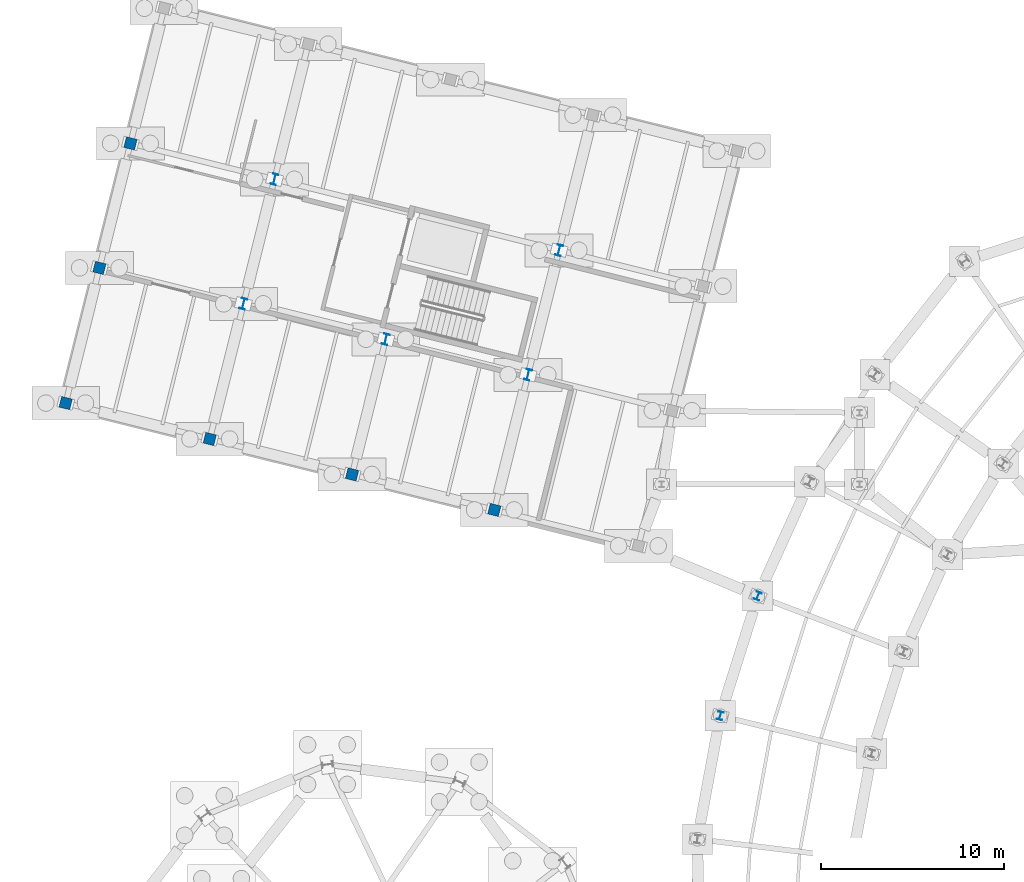
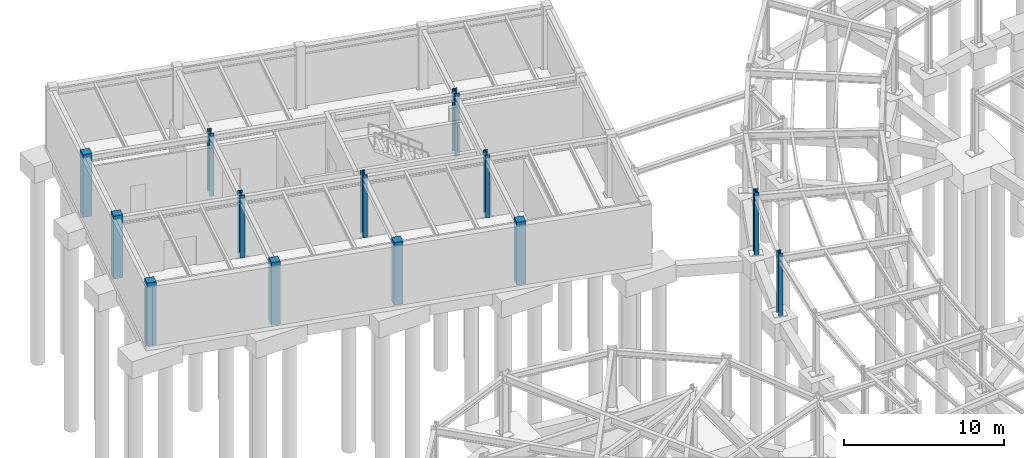
# One storey, part 18 of 50: 13 columns.
"""IFC4 building model written with IfcOpenShell, lengths in metres."""

from ifc_helpers import new_model, si_unit, direction, frame, origin, origin_2d, place, context, subcontext, project, spatial, rectangle, i_section, extrude, material, material_profile, profile_set, type_object, element, save


model = new_model("IFC4")

# Units and contexts
model_context = context("Model", 3, precision=1e-05, world=origin(), true_north=direction((0.0, 1.0)))
body_context = subcontext(model_context, "Body", "Model", "MODEL_VIEW")
ifc_project = project(units=[si_unit("LENGTHUNIT", "METRE"), si_unit("AREAUNIT", "SQUARE_METRE"), si_unit("VOLUMEUNIT", "CUBIC_METRE"), si_unit("PLANEANGLEUNIT", "RADIAN"), si_unit("MASSUNIT", "GRAM", prefix="KILO")], contexts=[model_context])

# Site, building, storey
site_placement = place(None, origin())
site = spatial("IfcSite", under=ifc_project, at=site_placement, CompositionType="ELEMENT")
building_placement = place(site_placement, origin())
building = spatial("IfcBuilding", under=site, at=building_placement, Name="Varnklinge Art Gallery", CompositionType="ELEMENT")
storey_placement = place(building_placement, frame((0.0, 0.0, -4.800048828125)))
storey = spatial("IfcBuildingStorey", under=building, at=storey_placement, Name="B01", CompositionType="ELEMENT", Elevation=-4.800048828125)

# Columns
ifc_material_1 = material(Name="Steel S355", Category="steel")
ifc_material_profile_1 = material_profile(ifc_material_1, i_section(OverallWidth=0.300048828125, OverallDepth=0.60009765625, WebThickness=0.015380859375, FlangeThickness=0.030029296875, FilletRadius=0.027099609375, at=origin_2d()), Name="HEB 600")
ifc_profile_set_1 = profile_set([ifc_material_profile_1], Name="Steel S355")
column_type_1 = type_object("IfcColumnType", Name="COL-04", PredefinedType="COLUMN", material=ifc_profile_set_1)
for number, where, z_axis, x_axis, name in (
    (1, (15.390869140625, 91.039306640625, 0.0), (0.0, 0.0, 1.0), (0.970295726276, -0.2419218956, 0.0), "B01 Column V5C-2-2"),
    (2, (17.08447265625, 97.831298828125, 0.0), (0.0, 0.0, 1.0), (0.970295726276, -0.2419218956, 0.0), "B01 Column V5C-2-3"),
    (3, (23.1533203125, 89.10400390625, 0.0), (0.0, 0.0, 1.0), (0.970295726276, -0.2419218956, 0.0), "B01 Column V5C-3-2"),
    (4, (30.91552734375, 87.168701171875, 0.0), (0.0, 0.0, 1.0), (0.970295726276, -0.2419218956, 0.0), "B01 Column V5C-4-2"),
    (5, (32.609130859375, 93.960693359375, 0.0), (0.0, 0.0, 1.0), (0.970295726276, -0.2419218956, 0.0), "B01 Column V5C-4-3"),
):
    element("IfcColumn", number, at=place(storey_placement, frame(where, z_axis=z_axis, x_axis=x_axis)), inside=storey, type_object=column_type_1, Name=name, PredefinedType="COLUMN", context=body_context, shape_type="SweptSolid", body=[
        extrude(i_section(OverallWidth=0.300048828125, OverallDepth=0.60009765625, WebThickness=0.015380859375, FlangeThickness=0.030029296875, FilletRadius=0.027099609375, at=origin_2d()), origin(), (0.0, 0.0, 1.0), 4.800048828125),
    ])
ifc_material_2 = material(Name="Steel S355", Category="steel")
ifc_material_profile_2 = material_profile(ifc_material_2, i_section(OverallWidth=0.300048828125, OverallDepth=0.449951171875, WebThickness=0.013916015625, FlangeThickness=0.02587890625, FilletRadius=0.027099609375, at=origin_2d()), Name="HEB 450")
ifc_profile_set_2 = profile_set([ifc_material_profile_2], Name="Steel S355")
column_type_2 = type_object("IfcColumnType", Name="COL-06", PredefinedType="COLUMN", material=ifc_profile_set_2)
for number, where, z_axis, x_axis, name in (
    (6, (43.45361328125, 75.09716796875, 0.0), (0.0, 0.0, 1.0), (0.934017558691, -0.357227098715, 0.0), "B01 Column V2CO-24"),
    (7, (41.401611328125, 68.56591796875, 0.0), (0.0, 0.0, 1.0), (0.970506473469, -0.241075060833, 0.0), "B01 Column V2CO-25"),
):
    element("IfcColumn", number, at=place(storey_placement, frame(where, z_axis=z_axis, x_axis=x_axis)), inside=storey, type_object=column_type_2, Name=name, PredefinedType="COLUMN", context=body_context, shape_type="SweptSolid", body=[
        extrude(i_section(OverallWidth=0.300048828125, OverallDepth=0.449951171875, WebThickness=0.013916015625, FlangeThickness=0.02587890625, FilletRadius=0.027099609375, at=origin_2d()), origin(), (0.0, 0.0, 1.0), 4.800048828125),
    ])
ifc_material_3 = material(Name="Concrete C40/50", Category="concrete")
ifc_material_profile_3 = material_profile(ifc_material_3, rectangle(XDim=0.60009765625, YDim=0.60009765625, at=origin_2d()), Name="RC 600x600")
ifc_profile_set_3 = profile_set([ifc_material_profile_3], Name="Concrete C40/50")
column_type_3 = type_object("IfcColumnType", Name="COL-RC2", PredefinedType="COLUMN", material=ifc_profile_set_3)
for number, where, z_axis, x_axis, name in (
    (8, (5.69287109375, 85.624755859375, 0.0), (0.0, 0.0, 1.0), (0.970295726276, -0.2419218956, 0.0), "B01 Column V5C-1-1"),
    (9, (7.531494140625, 92.998779296875, 0.0), (0.0, 0.0, 1.0), (0.970295726276, -0.2419218956, 0.0), "B01 Column V5C-1-2"),
    (10, (9.22509765625, 99.791015625, 0.0), (0.0, 0.0, 1.0), (0.970295726276, -0.2419218956, 0.0), "B01 Column V5C-1-3"),
    (11, (13.55224609375, 83.6650390625, 0.0), (0.0, 0.0, 1.0), (0.970295726276, -0.2419218956, 0.0), "B01 Column V5C-2-1"),
    (12, (21.314697265625, 81.729736328125, 0.0), (0.0, 0.0, 1.0), (0.970295726276, -0.2419218956, 0.0), "B01 Column V5C-3-1"),
    (13, (29.076904296875, 79.794189453125, 0.0), (0.0, 0.0, 1.0), (0.970295726276, -0.2419218956, 0.0), "B01 Column V5C-4-1"),
):
    element("IfcColumn", number, at=place(storey_placement, frame(where, z_axis=z_axis, x_axis=x_axis)), inside=storey, type_object=column_type_3, Name=name, PredefinedType="COLUMN", context=body_context, shape_type="SweptSolid", body=[
        extrude(rectangle(XDim=0.60009765625, YDim=0.60009765625, at=origin_2d()), origin(), (0.0, 0.0, 1.0), 4.800048828125),
    ])

save(model, "model.ifc")
